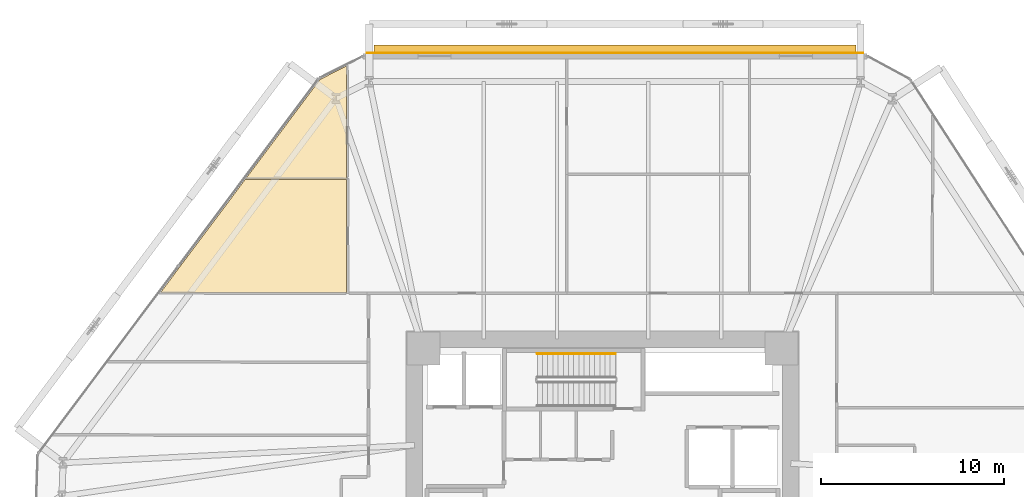
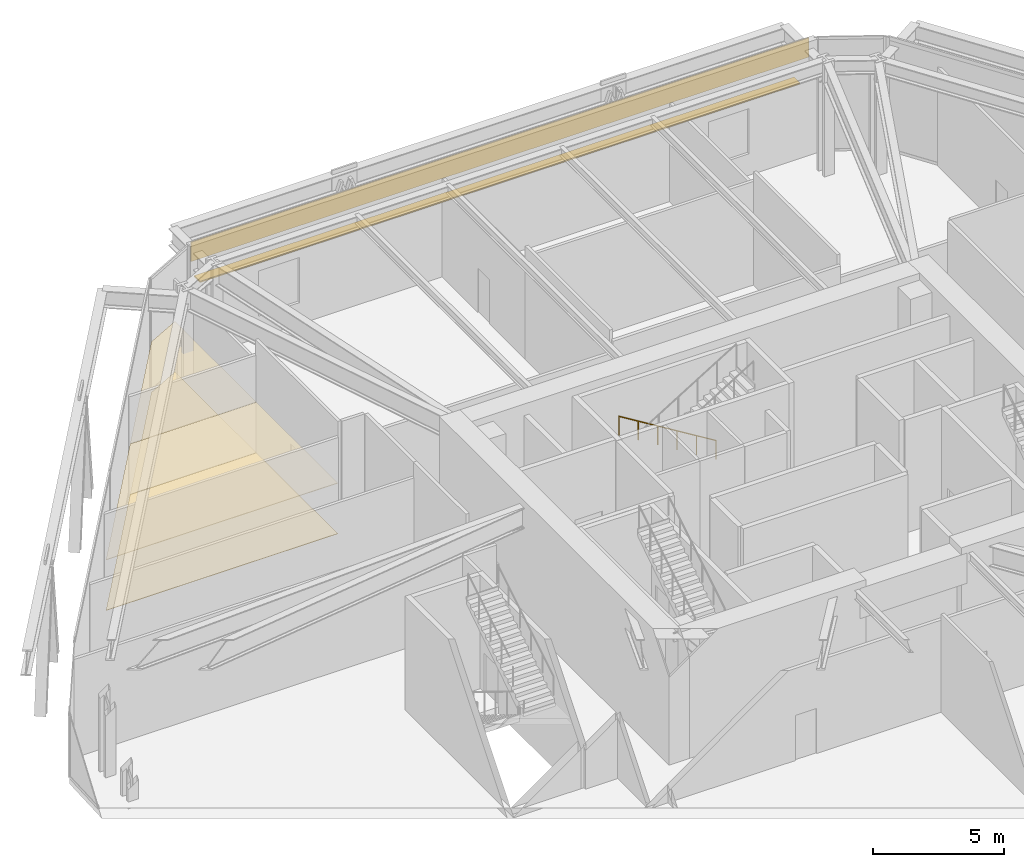
# One storey, part 23 of 23: 5 coverings, 1 railing, 1 shading device.
"""IFC4 building model written with IfcOpenShell, lengths in metres."""

from ifc_helpers import new_model, si_unit, direction, frame, origin, origin_2d, place, context, subcontext, project, spatial, polyline, rectangle, circle, outline, extrude, source, transform, mapped, material, layer, layer_set, type_object, type_shapes, element, save


model = new_model("IFC4")

# Units and contexts
model_context = context("Model", 3, precision=1e-05, world=origin(), true_north=direction((0.0, 1.0)))
body_context = subcontext(model_context, "Body", "Model", "MODEL_VIEW")
ifc_project = project(units=[si_unit("LENGTHUNIT", "METRE"), si_unit("AREAUNIT", "SQUARE_METRE"), si_unit("VOLUMEUNIT", "CUBIC_METRE"), si_unit("PLANEANGLEUNIT", "RADIAN"), si_unit("MASSUNIT", "GRAM", prefix="KILO")], contexts=[model_context])

# Site, building, storey
site_placement = place(None, origin())
site = spatial("IfcSite", under=ifc_project, at=site_placement, CompositionType="ELEMENT")
building_placement = place(site_placement, origin())
building = spatial("IfcBuilding", under=site, at=building_placement, Name="Durnholm Broadcast Tower", CompositionType="ELEMENT")
storey_placement = place(building_placement, frame((0.0, 0.0, 21.199951171875)))
storey = spatial("IfcBuildingStorey", under=building, at=storey_placement, Name="L04", CompositionType="ELEMENT", Elevation=21.199951171875)

# Coverings
ifc_material_1 = material(Name="Mineral Fiber Acoustic Ceiling Tile", Category="concrete")
ifc_layer_1 = layer(ifc_material_1, 0.02490234375)
ifc_layer_set_1 = layer_set([ifc_layer_1], Name="Mineral Fiber Acoustic Ceiling Tile")
covering_type_1 = type_object("IfcCoveringType", Name="COV-CEIL-AC", PredefinedType="CEILING", material=ifc_layer_set_1)
covering_1_placement = place(storey_placement, frame((0.0, 0.0, 2.35009765625)))
element("IfcCovering", 1, at=covering_1_placement, inside=storey, type_object=covering_type_1, Name="L04 Studio Control Office 4A acoustic ceiling", PredefinedType="CEILING", context=body_context, shape_type="SweptSolid", body=[
    extrude(outline(polyline([(-24.19384765625, 10.85498046875), (-14.0048828125, 10.85498046875), (-14.0048828125, 17.051025390625), (-19.556884765625, 17.051025390625), (-24.19384765625, 10.85498046875)])), origin(), (0.0, 0.0, 1.0), 0.02490234375),
])
covering_2_placement = place(storey_placement, frame((0.0, 0.0, 2.35009765625)))
element("IfcCovering", 2, at=covering_2_placement, inside=storey, type_object=covering_type_1, Name="L04 News Production Hall 4B acoustic ceiling", PredefinedType="CEILING", context=body_context, shape_type="SweptSolid", body=[
    extrude(outline(polyline([(-14.0048828125, 17.06103515625), (-14.0048828125, 23.25341796875), (-15.461181640625, 22.5244140625), (-19.549560546875, 17.06103515625), (-14.0048828125, 17.06103515625)])), origin(), (0.0, 0.0, 1.0), 0.02490234375),
])
ifc_material_2 = material(Name="Engineered Oak Acoustic Broadcast Flooring", Category="wood")
ifc_layer_2 = layer(ifc_material_2, 0.02001953125)
ifc_layer_set_2 = layer_set([ifc_layer_2], Name="Engineered Oak Acoustic Broadcast Flooring")
covering_type_2 = type_object("IfcCoveringType", Name="COV-FLR-OAK", PredefinedType="FLOORING", material=ifc_layer_set_2)
covering_3_placement = place(storey_placement, origin())
element("IfcCovering", 3, at=covering_3_placement, inside=storey, type_object=covering_type_2, Name="L04 Studio Control Office 4A acoustic oak flooring", PredefinedType="FLOORING", context=body_context, shape_type="SweptSolid", body=[
    extrude(outline(polyline([(-24.19384765625, 10.85498046875), (-14.0048828125, 10.85498046875), (-14.0048828125, 17.051025390625), (-19.556884765625, 17.051025390625), (-24.19384765625, 10.85498046875)])), origin(), (0.0, 0.0, 1.0), 0.02001953125),
])
covering_4_placement = place(storey_placement, origin())
element("IfcCovering", 4, at=covering_4_placement, inside=storey, type_object=covering_type_2, Name="L04 News Production Hall 4B acoustic oak flooring", PredefinedType="FLOORING", context=body_context, shape_type="SweptSolid", body=[
    extrude(outline(polyline([(-14.0048828125, 17.06103515625), (-14.0048828125, 23.25341796875), (-15.461181640625, 22.5244140625), (-19.549560546875, 17.06103515625), (-14.0048828125, 17.06103515625)])), origin(), (0.0, 0.0, 1.0), 0.02001953125),
])

# Railing
ifc_material_3 = material(Name="Brushed Stainless Steel Handrail", Category="steel")
railing_type = type_object("IfcRailingType", Name="RAIL-ST-HND", PredefinedType="HANDRAIL", material=ifc_material_3)
railing_placement = place(storey_placement, frame((0.699951171875, 7.510009765625, 0.35009765625)))
element("IfcRailing", 5, at=railing_placement, inside=storey, type_object=railing_type, Name="L04 ST-3 stair handrail 1", PredefinedType="HANDRAIL", context=body_context, shape_type="SweptSolid", body=[
    extrude(circle(Radius=0.02392578125, at=origin_2d()), frame((0.0, 0.0, 0.8759765625), z_axis=(-0.852165895541, 0.0, 0.523271713813), x_axis=(0.0, -1.0, 0.0)), (0.0, 0.0, 1.0), 5.0166015625),
    extrude(circle(Radius=0.02099609375, at=origin_2d()), origin(), (0.0, 0.0, 1.0), 0.851806640625),
    extrude(circle(Radius=0.02099609375, at=origin_2d()), frame((-0.85498046875, 0.0, 0.52490234375)), (0.0, 0.0, 1.0), 0.851806640625),
    extrude(circle(Radius=0.02099609375, at=origin_2d()), frame((-1.7099609375, 0.0, 1.050048828125)), (0.0, 0.0, 1.0), 0.851806640625),
    extrude(circle(Radius=0.02099609375, at=origin_2d()), frame((-2.56494140625, 0.0, 1.574951171875)), (0.0, 0.0, 1.0), 0.851806640625),
    extrude(circle(Radius=0.02099609375, at=origin_2d()), frame((-3.419921875, 0.0, 2.10009765625)), (0.0, 0.0, 1.0), 0.851806640625),
    extrude(circle(Radius=0.02099609375, at=origin_2d()), frame((-4.27490234375, 0.0, 2.625)), (0.0, 0.0, 1.0), 0.851806640625),
])

# Covering
ifc_material_4 = material(Name="Anodised Aluminium Spandrel Cladding", Category="aluminium")
ifc_layer_3 = layer(ifc_material_4, 0.0400390625)
ifc_layer_set_3 = layer_set([ifc_layer_3], Name="Anodised Aluminium Spandrel Cladding")
covering_type_3 = type_object("IfcCoveringType", Name="COV-EXT-CLAD", PredefinedType="CLADDING", material=ifc_layer_set_3)
shared_shape_1 = source(origin(), body_context, "Body", "SweptSolid", [
    extrude(rectangle(XDim=27.177978515625, YDim=0.0400390625, at=origin_2d()), origin(), (0.0, 0.0, 1.0), 0.89990234375),
])
type_shapes(covering_type_3, [shared_shape_1])
covering_5_placement = place(storey_placement, frame((0.68603515625, 23.969970703125, 4.330078125), z_axis=(0.0, 0.0, 1.0), x_axis=(1.0, 0.0, 0.0)))
element("IfcCovering", 6, at=covering_5_placement, inside=storey, type_object=covering_type_3, Name="L04 podium spandrel metal cladding 04", PredefinedType="CLADDING", context=body_context, shape_type="MappedRepresentation", body=[
    mapped(shared_shape_1, transform((0.0, 0.0, 0.0), x_axis=(1.0, 0.0, 0.0), y_axis=(0.0, 1.0, 0.0), z_axis=(0.0, 0.0, 1.0), scale=1.0)),
])

# Shading device
ifc_material_5 = material(Name="Extruded Aluminium Sunshade Fin", Category="aluminium")
ifc_layer_4 = layer(ifc_material_5, 0.06005859375)
ifc_layer_set_4 = layer_set([ifc_layer_4], Name="Extruded Aluminium Sunshade Fin")
shading_device_type = type_object("IfcShadingDeviceType", Name="SHD-SUN-BLADE", PredefinedType="JALOUSIE", material=ifc_layer_set_4)
shared_shape_2 = source(origin(), body_context, "Body", "SweptSolid", [
    extrude(rectangle(XDim=26.3779296875, YDim=0.449951171875, at=origin_2d()), origin(), (0.0, 0.0, 1.0), 0.06005859375),
])
type_shapes(shading_device_type, [shared_shape_2])
shading_device_placement = place(storey_placement, frame((0.68603515625, 24.169921875, 3.219970703125), z_axis=(0.0, 0.0, 1.0), x_axis=(1.0, 0.0, 0.0)))
element("IfcShadingDevice", 7, at=shading_device_placement, inside=storey, type_object=shading_device_type, Name="L04 studio horizontal solar sunshade 04", PredefinedType="JALOUSIE", context=body_context, shape_type="MappedRepresentation", body=[
    mapped(shared_shape_2, transform((0.0, 0.0, 0.0), x_axis=(1.0, 0.0, 0.0), y_axis=(0.0, 1.0, 0.0), z_axis=(0.0, 0.0, 1.0), scale=1.0)),
])

save(model, "model.ifc")
